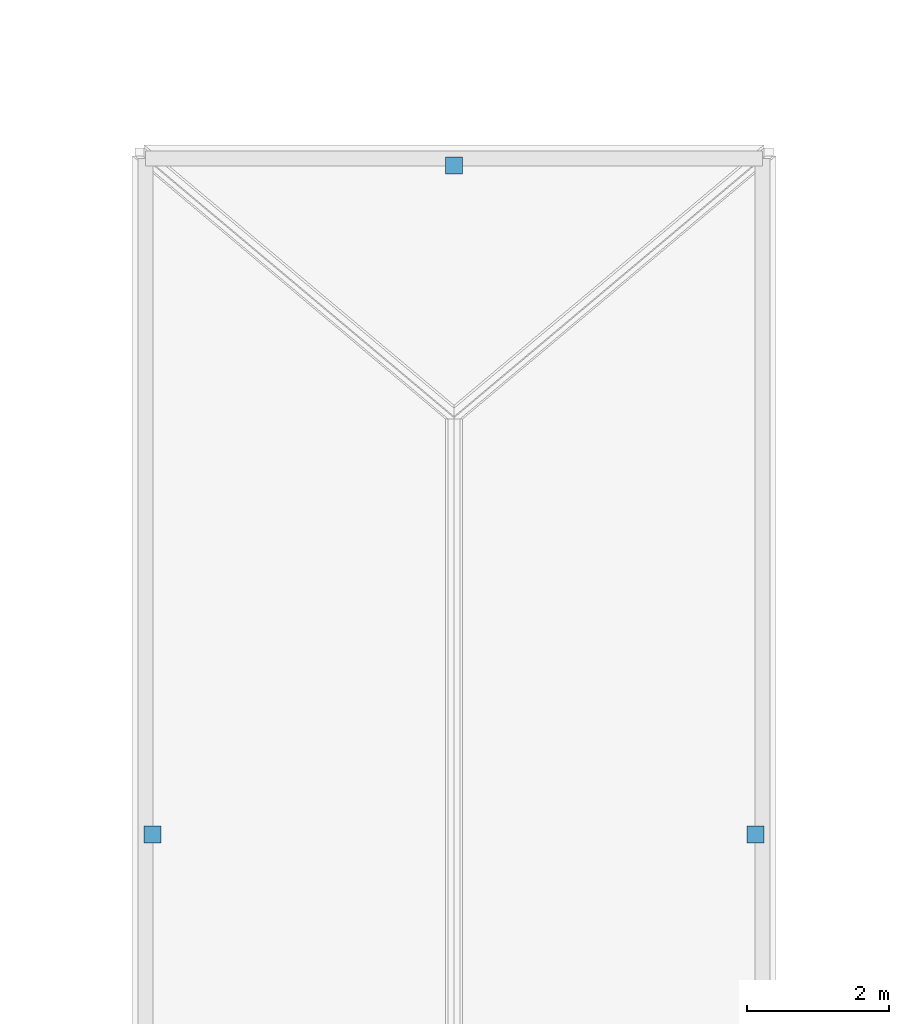
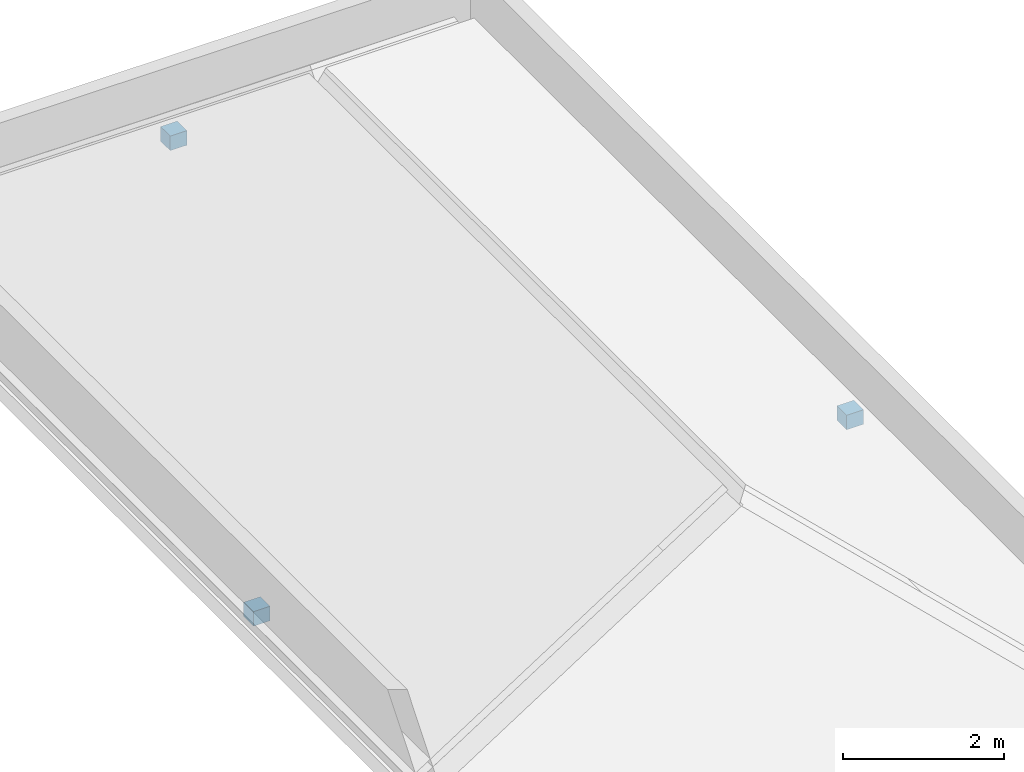
# One storey, part 42 of 52: 3 discrete accessories.
"""IFC4 building model written with IfcOpenShell, lengths in metres."""

from ifc_helpers import new_model, si_unit, direction, frame, origin, origin_2d, place, context, subcontext, project, spatial, rectangle, extrude, material, type_object, element, save


model = new_model("IFC4")

# Units and contexts
model_context = context("Model", 3, precision=1e-05, world=origin(), true_north=direction((0.0, 1.0)))
body_context = subcontext(model_context, "Body", "Model", "MODEL_VIEW")
ifc_project = project(units=[si_unit("LENGTHUNIT", "METRE"), si_unit("AREAUNIT", "SQUARE_METRE"), si_unit("VOLUMEUNIT", "CUBIC_METRE"), si_unit("PLANEANGLEUNIT", "RADIAN"), si_unit("MASSUNIT", "GRAM", prefix="KILO")], contexts=[model_context])

# Site, building, storey
site_placement = place(None, origin())
site = spatial("IfcSite", under=ifc_project, at=site_placement, CompositionType="ELEMENT")
building_placement = place(site_placement, origin())
building = spatial("IfcBuilding", under=site, at=building_placement, Name="Myrtia Square Station", CompositionType="ELEMENT")
storey_placement = place(building_placement, frame((0.0, 0.0, 15.0)))
storey = spatial("IfcBuildingStorey", under=building, at=storey_placement, Name="L03", CompositionType="ELEMENT", Elevation=15.0)

# Discrete accessories
ifc_material = material(Name="Steel S355", Category="steel")
discrete_accessory_type = type_object("IfcDiscreteAccessoryType", Name="ACC-HIP-SHOE", PredefinedType="BRACKET", material=ifc_material)
for number, where, z_axis, x_axis, name in (
    (1, (171.10009765625, 28.72509765625, -0.02978515625), (0.0, 0.0, 1.0), (1.0, 0.0, 0.0), "Hipped roof eave shoe bracket HIP-V4BELV-W"),
    (2, (179.60009765625, 28.72509765625, -0.02978515625), (0.0, 0.0, 1.0), (1.0, 0.0, 0.0), "Hipped roof eave shoe bracket HIP-V4BELV-E"),
    (3, (175.35009765625, 38.14990234375, -0.02978515625), (0.0, 0.0, 1.0), (1.0, 0.0, 0.0), "Hipped roof eave shoe bracket HIP-V4BELV-N"),
):
    element("IfcDiscreteAccessory", number, at=place(storey_placement, frame(where, z_axis=z_axis, x_axis=x_axis)), inside=storey, type_object=discrete_accessory_type, Name=name, PredefinedType="BRACKET", context=body_context, shape_type="SweptSolid", body=[
        extrude(rectangle(XDim=0.239990234375, YDim=0.239990234375, at=origin_2d()), origin(), (0.0, 0.0, 1.0), 0.219970703125),
    ])

save(model, "model.ifc")
